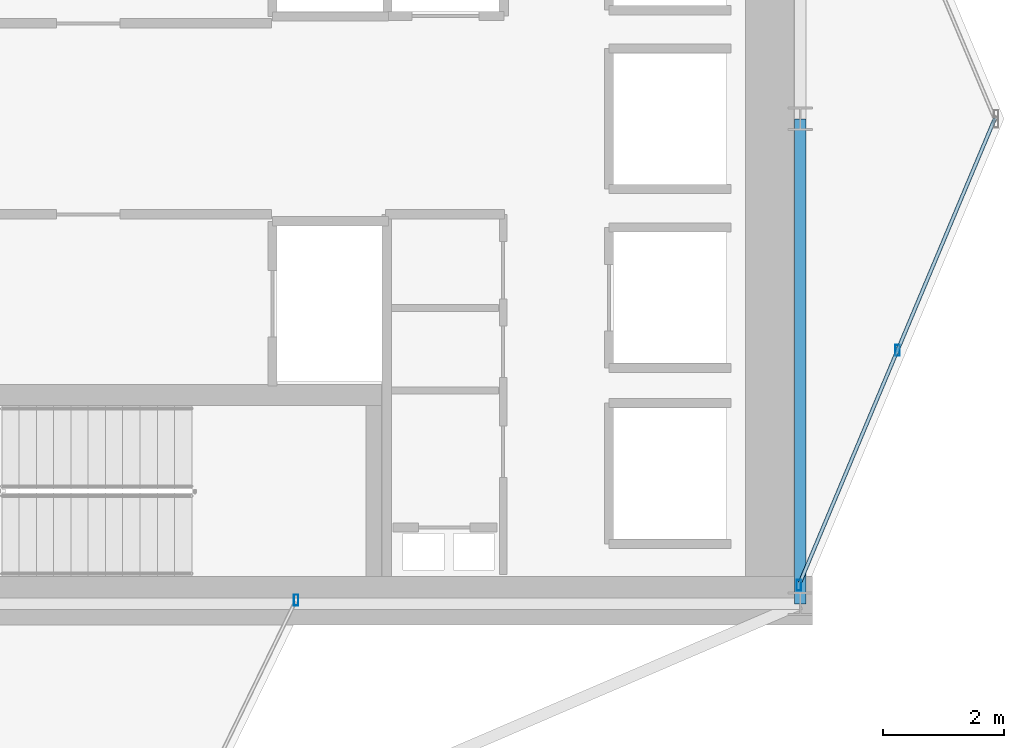
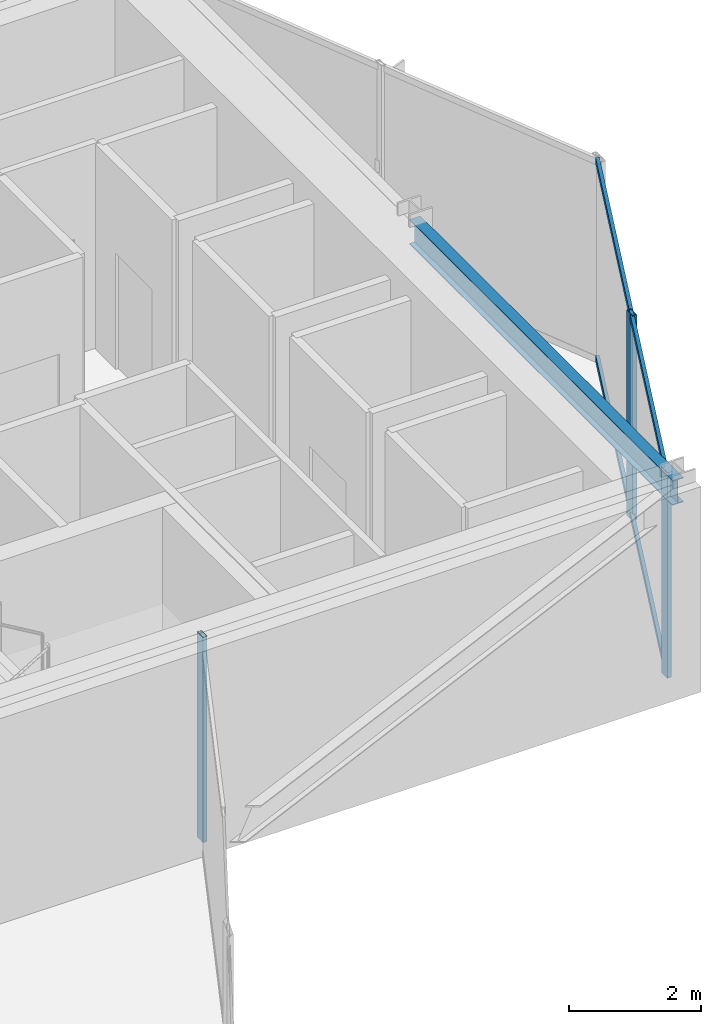
# One storey, part 13 of 25: 5 members, 1 beam, 2 elements without a shape of their own.
"""IFC4 building model written with IfcOpenShell, lengths in metres."""

from ifc_helpers import new_model, si_unit, direction, frame, origin, origin_2d, place, context, subcontext, project, spatial, hollow_rectangle, i_section, extrude, material, layer, layer_set, material_profile, profile_set, type_object, element, aggregate, save


model = new_model("IFC4")

# Units and contexts
model_context = context("Model", 3, precision=1e-05, world=origin(), true_north=direction((0.0, 1.0)))
body_context = subcontext(model_context, "Body", "Model", "MODEL_VIEW")
ifc_project = project(units=[si_unit("LENGTHUNIT", "METRE"), si_unit("AREAUNIT", "SQUARE_METRE"), si_unit("VOLUMEUNIT", "CUBIC_METRE"), si_unit("PLANEANGLEUNIT", "RADIAN"), si_unit("MASSUNIT", "GRAM", prefix="KILO")], contexts=[model_context])

# Site, building, storey
site_placement = place(None, origin())
site = spatial("IfcSite", under=ifc_project, at=site_placement, CompositionType="ELEMENT")
building_placement = place(site_placement, origin())
building = spatial("IfcBuilding", under=site, at=building_placement, Name="Veymaron Broadcast Tower", CompositionType="ELEMENT")
storey_placement = place(building_placement, frame((0.0, 0.0, 116.85009765625)))
storey = spatial("IfcBuildingStorey", under=building, at=storey_placement, Name="L26", CompositionType="ELEMENT", Elevation=116.85009765625)

# Beam
ifc_material_1 = material(Name="Structural steel ASTM A992 Gr 50", Category="steel")
ifc_material_profile_1 = material_profile(ifc_material_1, i_section(OverallWidth=0.19091796875, OverallDepth=0.4599609375, WebThickness=0.010009765625, FlangeThickness=0.01611328125, at=origin_2d()), Name="W460X82")
ifc_profile_set_1 = profile_set([ifc_material_profile_1], Name="Structural steel ASTM A992 Gr 50")
beam_type = type_object("IfcBeamType", Name="BM-SP1", PredefinedType="SPANDREL", material=ifc_profile_set_1)
beam_placement = place(storey_placement, frame((54.60009765625, 16.0, 3.579833984375), z_axis=(0.0, 1.0, 0.0), x_axis=(-1.0, 0.0, 0.0)))
element("IfcBeam", 1, at=beam_placement, inside=storey, type_object=beam_type, Name="L26 primary structural floor girder", PredefinedType="SPANDREL", context=body_context, shape_type="SweptSolid", body=[
    extrude(i_section(OverallWidth=0.19091796875, OverallDepth=0.4599609375, WebThickness=0.010009765625, FlangeThickness=0.01611328125, at=origin_2d()), origin(), (0.0, 0.0, 1.0), 8.0),
])

# Curtain wall, members
ifc_material_2 = material(Name="Anodised aluminium AA 6063-T6 and laminated low-E dark glass", Category="aluminium")
ifc_layer = layer(ifc_material_2, 0.179931640625)
ifc_layer_set = layer_set([ifc_layer], Name="Anodised aluminium AA 6063-T6 and laminated low-E dark glass")
curtain_wall_type = type_object("IfcCurtainWallType", Name="CW-SYS-03", PredefinedType="NOTDEFINED", material=ifc_layer_set)
curtain_wall_1_placement = place(storey_placement, origin())
curtain_wall_1 = element("IfcCurtainWall", 2, at=curtain_wall_1_placement, inside=storey, type_object=curtain_wall_type, Name="L26 dark-glass curtain wall CW-L26-E2-1", PredefinedType="NOTDEFINED")
ifc_material_3 = material(Name="Anodised aluminium AA 6063-T6", Category="aluminium")
ifc_material_profile_2 = material_profile(ifc_material_3, hollow_rectangle(XDim=0.074951171875, YDim=0.179931640625, WallThickness=0.0048828125, at=origin_2d()), Name="AL180X75X5")
ifc_profile_set_2 = profile_set([ifc_material_profile_2], Name="Anodised aluminium AA 6063-T6")
member_type_1 = type_object("IfcMemberType", Name="CW-MUL-02", PredefinedType="MULLION", material=ifc_profile_set_2)
member_1_placement = place(storey_placement, frame((54.576904296875, 16.306396484375, 0.0), z_axis=(0.0, 0.0, 1.0), x_axis=(1.0, 0.0, 0.0)))
member_1 = element("IfcMember", 3, at=member_1_placement, type_object=member_type_1, Name="CW-L26-E2-1 mullion 0", PredefinedType="MULLION", context=body_context, shape_type="SweptSolid", body=[
    extrude(hollow_rectangle(XDim=0.074951171875, YDim=0.179931640625, WallThickness=0.0048828125, at=origin_2d()), origin(), (0.0, 0.0, 1.0), 3.809814453125),
])
member_2_placement = place(storey_placement, frame((56.203857421875, 20.180419921875, 0.0), z_axis=(0.0, 0.0, 1.0), x_axis=(1.0, 0.0, 0.0)))
member_2 = element("IfcMember", 4, at=member_2_placement, type_object=member_type_1, Name="CW-L26-E2-1 mullion 1", PredefinedType="MULLION", context=body_context, shape_type="SweptSolid", body=[
    extrude(hollow_rectangle(XDim=0.074951171875, YDim=0.179931640625, WallThickness=0.0048828125, at=origin_2d()), origin(), (0.0, 0.0, 1.0), 3.809814453125),
])

# Curtain wall, member
curtain_wall_2_placement = place(storey_placement, origin())
curtain_wall_2 = element("IfcCurtainWall", 5, at=curtain_wall_2_placement, inside=storey, type_object=curtain_wall_type, Name="L26 dark-glass curtain wall CW-L26-E20-1", PredefinedType="NOTDEFINED")
member_3_placement = place(storey_placement, frame((46.284423828125, 16.061279296875, 0.0), z_axis=(0.0, 0.0, 1.0), x_axis=(1.0, 0.0, 0.0)))
member_3 = element("IfcMember", 6, at=member_3_placement, type_object=member_type_1, Name="CW-L26-E20-1 mullion 2", PredefinedType="MULLION", context=body_context, shape_type="SweptSolid", body=[
    extrude(hollow_rectangle(XDim=0.074951171875, YDim=0.179931640625, WallThickness=0.0048828125, at=origin_2d()), origin(), (0.0, 0.0, 1.0), 3.809814453125),
])
aggregate(curtain_wall_2, [member_3])

# Member
ifc_material_profile_3 = material_profile(ifc_material_3, hollow_rectangle(XDim=0.06005859375, YDim=0.1201171875, WallThickness=0.00390625, at=origin_2d()), Name="AL120X60X4")
ifc_profile_set_3 = profile_set([ifc_material_profile_3], Name="Anodised aluminium AA 6063-T6")
member_type_2 = type_object("IfcMemberType", Name="CW-TRN-02", PredefinedType="USERDEFINED", material=ifc_profile_set_3)
member_4_placement = place(storey_placement, frame((54.59619140625, 16.352294921875, 0.06982421875), z_axis=(0.387223486805, 0.921985884527, 0.0), x_axis=(-0.921985884527, 0.387223486805, 0.0)))
member_4 = element("IfcMember", 7, at=member_4_placement, type_object=member_type_2, Name="CW-L26-E2-1 transom B", ObjectType="TRANSOM", PredefinedType="USERDEFINED", context=body_context, shape_type="SweptSolid", body=[
    extrude(hollow_rectangle(XDim=0.06005859375, YDim=0.1201171875, WallThickness=0.00390625, at=origin_2d()), origin(), (0.0, 0.0, 1.0), 8.303466796875),
])

member_5_placement = place(storey_placement, frame((54.59619140625, 16.352294921875, 3.739990234375), z_axis=(0.387223486805, 0.921985884527, 0.0), x_axis=(-0.921985884527, 0.387223486805, 0.0)))
member_5 = element("IfcMember", 8, at=member_5_placement, type_object=member_type_2, Name="CW-L26-E2-1 transom T", ObjectType="TRANSOM", PredefinedType="USERDEFINED", context=body_context, shape_type="SweptSolid", body=[
    extrude(hollow_rectangle(XDim=0.06005859375, YDim=0.1201171875, WallThickness=0.00390625, at=origin_2d()), origin(), (0.0, 0.0, 1.0), 8.303466796875),
])

aggregate(curtain_wall_1, [member_1, member_2, member_4, member_5])

save(model, "model.ifc")
